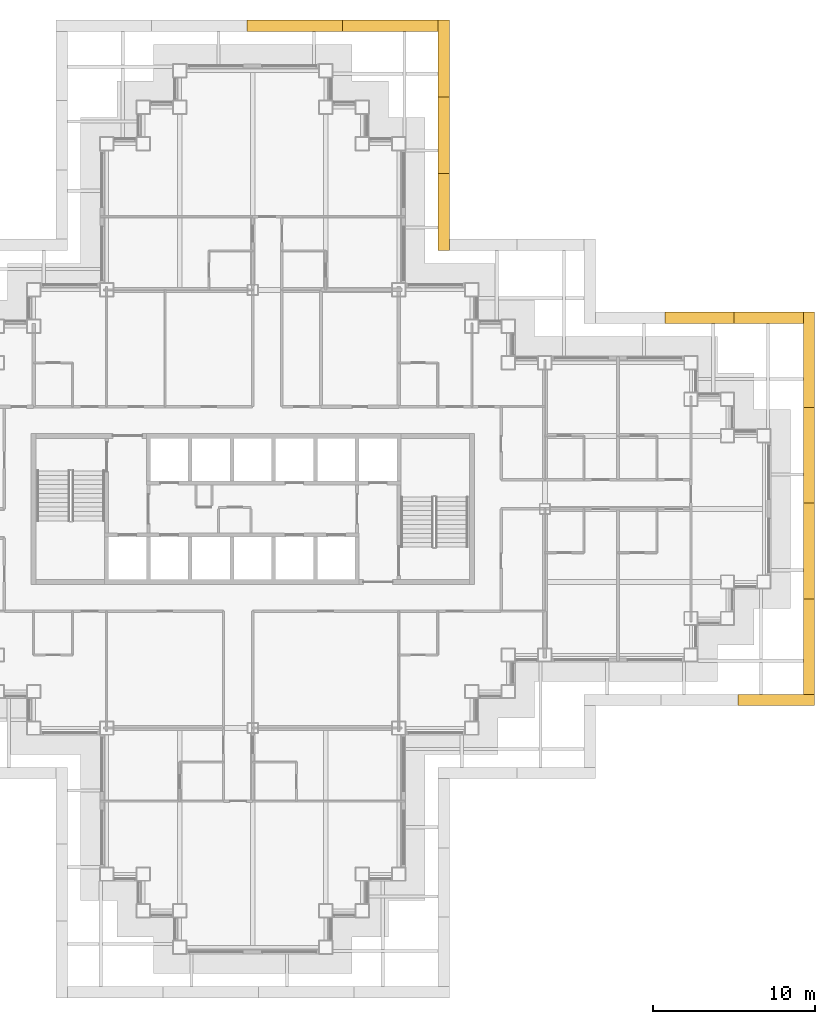
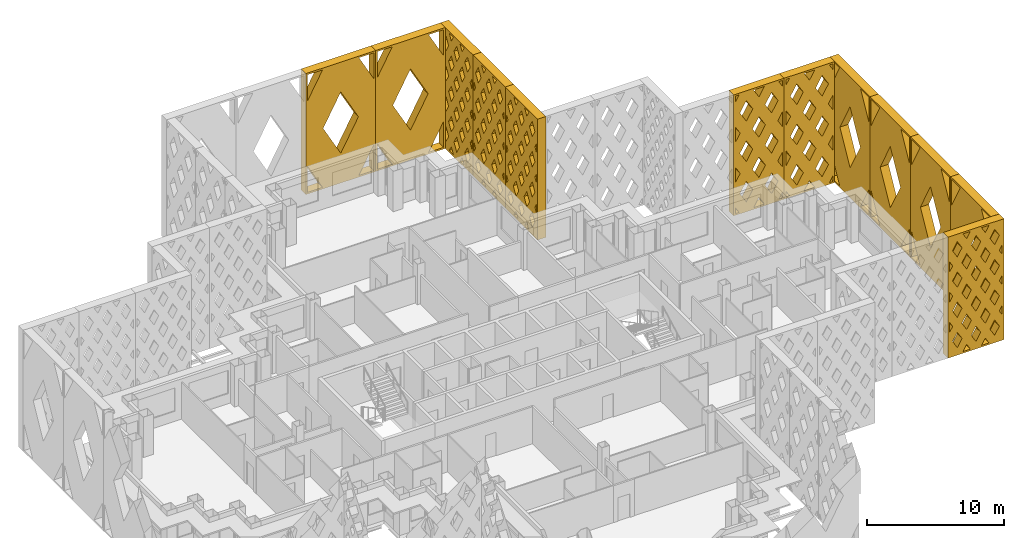
# One storey, part 21 of 21: 12 shading devices.
"""IFC4 building model written with IfcOpenShell, lengths in metres."""

from ifc_helpers import new_model, si_unit, direction, frame, origin, place, context, subcontext, project, spatial, polyline, outline, extrude, material, type_object, element, save


model = new_model("IFC4")

# Units and contexts
model_context = context("Model", 3, precision=1e-05, world=origin(), true_north=direction((0.0, 1.0)))
body_context = subcontext(model_context, "Body", "Model", "MODEL_VIEW")
ifc_project = project(units=[si_unit("LENGTHUNIT", "METRE"), si_unit("AREAUNIT", "SQUARE_METRE"), si_unit("VOLUMEUNIT", "CUBIC_METRE"), si_unit("PLANEANGLEUNIT", "RADIAN"), si_unit("MASSUNIT", "GRAM", prefix="KILO")], contexts=[model_context])

# Site, building, storey
site_placement = place(None, origin())
site = spatial("IfcSite", under=ifc_project, at=site_placement, CompositionType="ELEMENT")
building_placement = place(site_placement, origin())
building = spatial("IfcBuilding", under=site, at=building_placement, Name="Caravel Reach Hotel and Residences", CompositionType="ELEMENT")
storey_placement = place(building_placement, frame((0.0, 0.0, 129.60009765625)))
storey = spatial("IfcBuildingStorey", under=building, at=storey_placement, Name="L32", CompositionType="ELEMENT", Elevation=129.60009765625)

# Shading devices
ifc_material_1 = material(Name="Black powder-coated aluminium", Category="aluminium")
shading_device_type_1 = type_object("IfcShadingDeviceType", Name="Diamond lattice screen panel 4267 x 10800", PredefinedType="USERDEFINED", material=ifc_material_1)
shading_device_1_placement = place(storey_placement, frame((65.425048828125, 38.425048828125, 0.0), z_axis=(0.0, 1.0, 0.0), x_axis=(-1.0, 0.0, 0.0)))
element("IfcShadingDevice", 1, at=shading_device_1_placement, inside=storey, type_object=shading_device_type_1, Name="Lattice screen L32-L34 8.1", ObjectType="SCREEN", PredefinedType="USERDEFINED", context=body_context, shape_type="SweptSolid", body=[
    extrude(outline(polyline([(0.0, 0.0), (4.2666015625, 0.0), (4.2666015625, 10.800048828125), (0.0, 10.800048828125), (0.0, 0.0)]), holes=[polyline([(0.457275390625, 0.14990234375), (0.14990234375, 0.66845703125), (0.14990234375, 0.14990234375), (0.457275390625, 0.14990234375)]), polyline([(0.546142578125, 3.60009765625), (0.14990234375, 4.2685546875), (0.14990234375, 2.931396484375), (0.546142578125, 3.60009765625)]), polyline([(0.546142578125, 7.199951171875), (0.14990234375, 7.868408203125), (0.14990234375, 6.531494140625), (0.546142578125, 7.199951171875)]), polyline([(0.14990234375, 10.131591796875), (0.457275390625, 10.64990234375), (0.14990234375, 10.64990234375), (0.14990234375, 10.131591796875)]), polyline([(1.066650390625, 2.7216796875), (0.5205078125, 1.800048828125), (1.066650390625, 0.87841796875), (1.61279296875, 1.800048828125), (1.066650390625, 2.7216796875)]), polyline([(1.066650390625, 6.321533203125), (0.5205078125, 5.39990234375), (1.066650390625, 4.478271484375), (1.61279296875, 5.39990234375), (1.066650390625, 6.321533203125)]), polyline([(1.066650390625, 9.921630859375), (0.5205078125, 9.0), (1.066650390625, 8.078369140625), (1.61279296875, 9.0), (1.066650390625, 9.921630859375)]), polyline([(2.13330078125, 0.921630859375), (1.676025390625, 0.14990234375), (2.590576171875, 0.14990234375), (2.13330078125, 0.921630859375)]), polyline([(2.13330078125, 4.521728515625), (1.587158203125, 3.60009765625), (2.13330078125, 2.678466796875), (2.679443359375, 3.60009765625), (2.13330078125, 4.521728515625)]), polyline([(2.13330078125, 8.12158203125), (1.587158203125, 7.199951171875), (2.13330078125, 6.2783203125), (2.679443359375, 7.199951171875), (2.13330078125, 8.12158203125)]), polyline([(2.13330078125, 9.87841796875), (2.590576171875, 10.64990234375), (1.676025390625, 10.64990234375), (2.13330078125, 9.87841796875)]), polyline([(3.199951171875, 2.7216796875), (2.65380859375, 1.800048828125), (3.199951171875, 0.87841796875), (3.74609375, 1.800048828125), (3.199951171875, 2.7216796875)]), polyline([(3.199951171875, 6.321533203125), (2.65380859375, 5.39990234375), (3.199951171875, 4.478271484375), (3.74609375, 5.39990234375), (3.199951171875, 6.321533203125)]), polyline([(3.199951171875, 9.921630859375), (2.65380859375, 9.0), (3.199951171875, 8.078369140625), (3.74609375, 9.0), (3.199951171875, 9.921630859375)]), polyline([(4.11669921875, 0.66845703125), (3.809326171875, 0.14990234375), (4.11669921875, 0.14990234375), (4.11669921875, 0.66845703125)]), polyline([(3.720458984375, 3.60009765625), (4.11669921875, 2.931396484375), (4.11669921875, 4.2685546875), (3.720458984375, 3.60009765625)]), polyline([(3.720458984375, 7.199951171875), (4.11669921875, 6.531494140625), (4.11669921875, 7.868408203125), (3.720458984375, 7.199951171875)]), polyline([(3.809326171875, 10.64990234375), (4.11669921875, 10.131591796875), (4.11669921875, 10.64990234375), (3.809326171875, 10.64990234375)])]), origin(), (0.0, 0.0, 1.0), 0.699951171875),
])
shading_device_2_placement = place(storey_placement, frame((61.158447265625, 38.425048828125, 0.0), z_axis=(0.0, 1.0, 0.0), x_axis=(-1.0, 0.0, 0.0)))
element("IfcShadingDevice", 2, at=shading_device_2_placement, inside=storey, type_object=shading_device_type_1, Name="Lattice screen L32-L34 8.2", ObjectType="SCREEN", PredefinedType="USERDEFINED", context=body_context, shape_type="SweptSolid", body=[
    extrude(outline(polyline([(0.0, 0.0), (4.2666015625, 0.0), (4.2666015625, 10.800048828125), (0.0, 10.800048828125), (0.0, 0.0)]), holes=[polyline([(0.457275390625, 0.14990234375), (0.14990234375, 0.66845703125), (0.14990234375, 0.14990234375), (0.457275390625, 0.14990234375)]), polyline([(0.546142578125, 3.60009765625), (0.14990234375, 4.2685546875), (0.14990234375, 2.931396484375), (0.546142578125, 3.60009765625)]), polyline([(0.546142578125, 7.199951171875), (0.14990234375, 7.868408203125), (0.14990234375, 6.531494140625), (0.546142578125, 7.199951171875)]), polyline([(0.14990234375, 10.131591796875), (0.457275390625, 10.64990234375), (0.14990234375, 10.64990234375), (0.14990234375, 10.131591796875)]), polyline([(1.066650390625, 2.7216796875), (0.5205078125, 1.800048828125), (1.066650390625, 0.87841796875), (1.61279296875, 1.800048828125), (1.066650390625, 2.7216796875)]), polyline([(1.066650390625, 6.321533203125), (0.5205078125, 5.39990234375), (1.066650390625, 4.478271484375), (1.61279296875, 5.39990234375), (1.066650390625, 6.321533203125)]), polyline([(1.066650390625, 9.921630859375), (0.5205078125, 9.0), (1.066650390625, 8.078369140625), (1.61279296875, 9.0), (1.066650390625, 9.921630859375)]), polyline([(2.13330078125, 0.921630859375), (1.676025390625, 0.14990234375), (2.590576171875, 0.14990234375), (2.13330078125, 0.921630859375)]), polyline([(2.13330078125, 4.521728515625), (1.587158203125, 3.60009765625), (2.13330078125, 2.678466796875), (2.679443359375, 3.60009765625), (2.13330078125, 4.521728515625)]), polyline([(2.13330078125, 8.12158203125), (1.587158203125, 7.199951171875), (2.13330078125, 6.2783203125), (2.679443359375, 7.199951171875), (2.13330078125, 8.12158203125)]), polyline([(2.13330078125, 9.87841796875), (2.590576171875, 10.64990234375), (1.676025390625, 10.64990234375), (2.13330078125, 9.87841796875)]), polyline([(3.199951171875, 2.7216796875), (2.65380859375, 1.800048828125), (3.199951171875, 0.87841796875), (3.74609375, 1.800048828125), (3.199951171875, 2.7216796875)]), polyline([(3.199951171875, 6.321533203125), (2.65380859375, 5.39990234375), (3.199951171875, 4.478271484375), (3.74609375, 5.39990234375), (3.199951171875, 6.321533203125)]), polyline([(3.199951171875, 9.921630859375), (2.65380859375, 9.0), (3.199951171875, 8.078369140625), (3.74609375, 9.0), (3.199951171875, 9.921630859375)]), polyline([(4.11669921875, 0.66845703125), (3.809326171875, 0.14990234375), (4.11669921875, 0.14990234375), (4.11669921875, 0.66845703125)]), polyline([(3.720458984375, 3.60009765625), (4.11669921875, 2.931396484375), (4.11669921875, 4.2685546875), (3.720458984375, 3.60009765625)]), polyline([(3.720458984375, 7.199951171875), (4.11669921875, 6.531494140625), (4.11669921875, 7.868408203125), (3.720458984375, 7.199951171875)]), polyline([(3.809326171875, 10.64990234375), (4.11669921875, 10.131591796875), (4.11669921875, 10.64990234375), (3.809326171875, 10.64990234375)])]), origin(), (0.0, 0.0, 1.0), 0.699951171875),
])
ifc_material_2 = material(Name="Black powder-coated aluminium", Category="aluminium")
shading_device_type_2 = type_object("IfcShadingDeviceType", Name="Diamond lattice screen panel 4733 x 10800", PredefinedType="USERDEFINED", material=ifc_material_2)
shading_device_3_placement = place(storey_placement, frame((61.3916015625, 15.574951171875, 0.0), z_axis=(0.0, -1.0, 0.0), x_axis=(1.0, 0.0, 0.0)))
element("IfcShadingDevice", 3, at=shading_device_3_placement, inside=storey, type_object=shading_device_type_2, Name="Lattice screen L32-L34 6.3", ObjectType="SCREEN", PredefinedType="USERDEFINED", context=body_context, shape_type="SweptSolid", body=[
    extrude(outline(polyline([(0.0, 0.0), (4.7333984375, 0.0), (4.7333984375, 10.800048828125), (0.0, 10.800048828125), (0.0, 0.0)]), holes=[polyline([(0.4013671875, 2.699951171875), (0.14990234375, 3.130126953125), (0.14990234375, 2.269775390625), (0.4013671875, 2.699951171875)]), polyline([(0.4013671875, 5.39990234375), (0.14990234375, 5.830078125), (0.14990234375, 4.969970703125), (0.4013671875, 5.39990234375)]), polyline([(0.4013671875, 8.10009765625), (0.14990234375, 8.530029296875), (0.14990234375, 7.669921875), (0.4013671875, 8.10009765625)]), polyline([(0.788818359375, 2.036865234375), (0.387451171875, 1.35009765625), (0.788818359375, 0.6630859375), (1.190185546875, 1.35009765625), (0.788818359375, 2.036865234375)]), polyline([(0.788818359375, 4.73681640625), (0.387451171875, 4.050048828125), (0.788818359375, 3.36328125), (1.190185546875, 4.050048828125), (0.788818359375, 4.73681640625)]), polyline([(0.788818359375, 7.436767578125), (0.387451171875, 6.75), (0.788818359375, 6.063232421875), (1.190185546875, 6.75), (0.788818359375, 7.436767578125)]), polyline([(0.788818359375, 10.13671875), (0.387451171875, 9.449951171875), (0.788818359375, 8.76318359375), (1.190185546875, 9.449951171875), (0.788818359375, 10.13671875)]), polyline([(1.577880859375, 0.686767578125), (1.26416015625, 0.14990234375), (1.8916015625, 0.14990234375), (1.577880859375, 0.686767578125)]), polyline([(1.577880859375, 3.38671875), (1.176513671875, 2.699951171875), (1.577880859375, 2.01318359375), (1.979248046875, 2.699951171875), (1.577880859375, 3.38671875)]), polyline([(1.577880859375, 6.0869140625), (1.176513671875, 5.39990234375), (1.577880859375, 4.713134765625), (1.979248046875, 5.39990234375), (1.577880859375, 6.0869140625)]), polyline([(1.577880859375, 8.786865234375), (1.176513671875, 8.10009765625), (1.577880859375, 7.4130859375), (1.979248046875, 8.10009765625), (1.577880859375, 8.786865234375)]), polyline([(1.577880859375, 10.11328125), (1.8916015625, 10.64990234375), (1.26416015625, 10.64990234375), (1.577880859375, 10.11328125)]), polyline([(2.36669921875, 2.036865234375), (1.96533203125, 1.35009765625), (2.36669921875, 0.6630859375), (2.76806640625, 1.35009765625), (2.36669921875, 2.036865234375)]), polyline([(2.36669921875, 4.73681640625), (1.96533203125, 4.050048828125), (2.36669921875, 3.36328125), (2.76806640625, 4.050048828125), (2.36669921875, 4.73681640625)]), polyline([(2.36669921875, 7.436767578125), (1.96533203125, 6.75), (2.36669921875, 6.063232421875), (2.76806640625, 6.75), (2.36669921875, 7.436767578125)]), polyline([(2.36669921875, 10.13671875), (1.96533203125, 9.449951171875), (2.36669921875, 8.76318359375), (2.76806640625, 9.449951171875), (2.36669921875, 10.13671875)]), polyline([(3.155517578125, 0.686767578125), (2.841796875, 0.14990234375), (3.46923828125, 0.14990234375), (3.155517578125, 0.686767578125)]), polyline([(3.155517578125, 3.38671875), (2.754150390625, 2.699951171875), (3.155517578125, 2.01318359375), (3.556884765625, 2.699951171875), (3.155517578125, 3.38671875)]), polyline([(3.155517578125, 6.0869140625), (2.754150390625, 5.39990234375), (3.155517578125, 4.713134765625), (3.556884765625, 5.39990234375), (3.155517578125, 6.0869140625)]), polyline([(3.155517578125, 8.786865234375), (2.754150390625, 8.10009765625), (3.155517578125, 7.4130859375), (3.556884765625, 8.10009765625), (3.155517578125, 8.786865234375)]), polyline([(3.155517578125, 10.11328125), (3.46923828125, 10.64990234375), (2.841796875, 10.64990234375), (3.155517578125, 10.11328125)]), polyline([(3.9443359375, 2.036865234375), (3.54296875, 1.35009765625), (3.9443359375, 0.6630859375), (4.345703125, 1.35009765625), (3.9443359375, 2.036865234375)]), polyline([(3.9443359375, 4.73681640625), (3.54296875, 4.050048828125), (3.9443359375, 3.36328125), (4.345703125, 4.050048828125), (3.9443359375, 4.73681640625)]), polyline([(3.9443359375, 7.436767578125), (3.54296875, 6.75), (3.9443359375, 6.063232421875), (4.345703125, 6.75), (3.9443359375, 7.436767578125)]), polyline([(3.9443359375, 10.13671875), (3.54296875, 9.449951171875), (3.9443359375, 8.76318359375), (4.345703125, 9.449951171875), (3.9443359375, 10.13671875)]), polyline([(4.33203125, 2.699951171875), (4.583251953125, 2.269775390625), (4.583251953125, 3.130126953125), (4.33203125, 2.699951171875)]), polyline([(4.33203125, 5.39990234375), (4.583251953125, 4.969970703125), (4.583251953125, 5.830078125), (4.33203125, 5.39990234375)]), polyline([(4.33203125, 8.10009765625), (4.583251953125, 7.669921875), (4.583251953125, 8.530029296875), (4.33203125, 8.10009765625)])]), origin(), (0.0, 0.0, 1.0), 0.699951171875),
])
shading_device_4_placement = place(storey_placement, frame((42.925048828125, 42.925048828125, 0.0), z_axis=(1.0, 0.0, 0.0), x_axis=(0.0, 1.0, 0.0)))
element("IfcShadingDevice", 4, at=shading_device_4_placement, inside=storey, type_object=shading_device_type_2, Name="Lattice screen L32-L34 11.1", ObjectType="SCREEN", PredefinedType="USERDEFINED", context=body_context, shape_type="SweptSolid", body=[
    extrude(outline(polyline([(0.0, 0.0), (4.7333984375, 0.0), (4.7333984375, 10.800048828125), (0.0, 10.800048828125), (0.0, 0.0)]), holes=[polyline([(0.4013671875, 2.699951171875), (0.14990234375, 3.130126953125), (0.14990234375, 2.269775390625), (0.4013671875, 2.699951171875)]), polyline([(0.4013671875, 5.39990234375), (0.14990234375, 5.830078125), (0.14990234375, 4.969970703125), (0.4013671875, 5.39990234375)]), polyline([(0.4013671875, 8.10009765625), (0.14990234375, 8.530029296875), (0.14990234375, 7.669921875), (0.4013671875, 8.10009765625)]), polyline([(0.788818359375, 2.036865234375), (0.387451171875, 1.35009765625), (0.788818359375, 0.6630859375), (1.190185546875, 1.35009765625), (0.788818359375, 2.036865234375)]), polyline([(0.788818359375, 4.73681640625), (0.387451171875, 4.050048828125), (0.788818359375, 3.36328125), (1.190185546875, 4.050048828125), (0.788818359375, 4.73681640625)]), polyline([(0.788818359375, 7.436767578125), (0.387451171875, 6.75), (0.788818359375, 6.063232421875), (1.190185546875, 6.75), (0.788818359375, 7.436767578125)]), polyline([(0.788818359375, 10.13671875), (0.387451171875, 9.449951171875), (0.788818359375, 8.76318359375), (1.190185546875, 9.449951171875), (0.788818359375, 10.13671875)]), polyline([(1.577880859375, 0.686767578125), (1.26416015625, 0.14990234375), (1.8916015625, 0.14990234375), (1.577880859375, 0.686767578125)]), polyline([(1.577880859375, 3.38671875), (1.176513671875, 2.699951171875), (1.577880859375, 2.01318359375), (1.979248046875, 2.699951171875), (1.577880859375, 3.38671875)]), polyline([(1.577880859375, 6.0869140625), (1.176513671875, 5.39990234375), (1.577880859375, 4.713134765625), (1.979248046875, 5.39990234375), (1.577880859375, 6.0869140625)]), polyline([(1.577880859375, 8.786865234375), (1.176513671875, 8.10009765625), (1.577880859375, 7.4130859375), (1.979248046875, 8.10009765625), (1.577880859375, 8.786865234375)]), polyline([(1.577880859375, 10.11328125), (1.8916015625, 10.64990234375), (1.26416015625, 10.64990234375), (1.577880859375, 10.11328125)]), polyline([(2.36669921875, 2.036865234375), (1.96533203125, 1.35009765625), (2.36669921875, 0.6630859375), (2.76806640625, 1.35009765625), (2.36669921875, 2.036865234375)]), polyline([(2.36669921875, 4.73681640625), (1.96533203125, 4.050048828125), (2.36669921875, 3.36328125), (2.76806640625, 4.050048828125), (2.36669921875, 4.73681640625)]), polyline([(2.36669921875, 7.436767578125), (1.96533203125, 6.75), (2.36669921875, 6.063232421875), (2.76806640625, 6.75), (2.36669921875, 7.436767578125)]), polyline([(2.36669921875, 10.13671875), (1.96533203125, 9.449951171875), (2.36669921875, 8.76318359375), (2.76806640625, 9.449951171875), (2.36669921875, 10.13671875)]), polyline([(3.155517578125, 0.686767578125), (2.841796875, 0.14990234375), (3.46923828125, 0.14990234375), (3.155517578125, 0.686767578125)]), polyline([(3.155517578125, 3.38671875), (2.754150390625, 2.699951171875), (3.155517578125, 2.01318359375), (3.556884765625, 2.699951171875), (3.155517578125, 3.38671875)]), polyline([(3.155517578125, 6.0869140625), (2.754150390625, 5.39990234375), (3.155517578125, 4.713134765625), (3.556884765625, 5.39990234375), (3.155517578125, 6.0869140625)]), polyline([(3.155517578125, 8.786865234375), (2.754150390625, 8.10009765625), (3.155517578125, 7.4130859375), (3.556884765625, 8.10009765625), (3.155517578125, 8.786865234375)]), polyline([(3.155517578125, 10.11328125), (3.46923828125, 10.64990234375), (2.841796875, 10.64990234375), (3.155517578125, 10.11328125)]), polyline([(3.9443359375, 2.036865234375), (3.54296875, 1.35009765625), (3.9443359375, 0.6630859375), (4.345703125, 1.35009765625), (3.9443359375, 2.036865234375)]), polyline([(3.9443359375, 4.73681640625), (3.54296875, 4.050048828125), (3.9443359375, 3.36328125), (4.345703125, 4.050048828125), (3.9443359375, 4.73681640625)]), polyline([(3.9443359375, 7.436767578125), (3.54296875, 6.75), (3.9443359375, 6.063232421875), (4.345703125, 6.75), (3.9443359375, 7.436767578125)]), polyline([(3.9443359375, 10.13671875), (3.54296875, 9.449951171875), (3.9443359375, 8.76318359375), (4.345703125, 9.449951171875), (3.9443359375, 10.13671875)]), polyline([(4.33203125, 2.699951171875), (4.583251953125, 2.269775390625), (4.583251953125, 3.130126953125), (4.33203125, 2.699951171875)]), polyline([(4.33203125, 5.39990234375), (4.583251953125, 4.969970703125), (4.583251953125, 5.830078125), (4.33203125, 5.39990234375)]), polyline([(4.33203125, 8.10009765625), (4.583251953125, 7.669921875), (4.583251953125, 8.530029296875), (4.33203125, 8.10009765625)])]), origin(), (0.0, 0.0, 1.0), 0.699951171875),
])
shading_device_5_placement = place(storey_placement, frame((42.925048828125, 47.658447265625, 0.0), z_axis=(1.0, 0.0, 0.0), x_axis=(0.0, 1.0, 0.0)))
element("IfcShadingDevice", 5, at=shading_device_5_placement, inside=storey, type_object=shading_device_type_2, Name="Lattice screen L32-L34 11.2", ObjectType="SCREEN", PredefinedType="USERDEFINED", context=body_context, shape_type="SweptSolid", body=[
    extrude(outline(polyline([(0.0, 0.0), (4.7333984375, 0.0), (4.7333984375, 10.800048828125), (0.0, 10.800048828125), (0.0, 0.0)]), holes=[polyline([(0.4013671875, 2.699951171875), (0.14990234375, 3.130126953125), (0.14990234375, 2.269775390625), (0.4013671875, 2.699951171875)]), polyline([(0.4013671875, 5.39990234375), (0.14990234375, 5.830078125), (0.14990234375, 4.969970703125), (0.4013671875, 5.39990234375)]), polyline([(0.4013671875, 8.10009765625), (0.14990234375, 8.530029296875), (0.14990234375, 7.669921875), (0.4013671875, 8.10009765625)]), polyline([(0.788818359375, 2.036865234375), (0.387451171875, 1.35009765625), (0.788818359375, 0.6630859375), (1.190185546875, 1.35009765625), (0.788818359375, 2.036865234375)]), polyline([(0.788818359375, 4.73681640625), (0.387451171875, 4.050048828125), (0.788818359375, 3.36328125), (1.190185546875, 4.050048828125), (0.788818359375, 4.73681640625)]), polyline([(0.788818359375, 7.436767578125), (0.387451171875, 6.75), (0.788818359375, 6.063232421875), (1.190185546875, 6.75), (0.788818359375, 7.436767578125)]), polyline([(0.788818359375, 10.13671875), (0.387451171875, 9.449951171875), (0.788818359375, 8.76318359375), (1.190185546875, 9.449951171875), (0.788818359375, 10.13671875)]), polyline([(1.577880859375, 0.686767578125), (1.26416015625, 0.14990234375), (1.8916015625, 0.14990234375), (1.577880859375, 0.686767578125)]), polyline([(1.577880859375, 3.38671875), (1.176513671875, 2.699951171875), (1.577880859375, 2.01318359375), (1.979248046875, 2.699951171875), (1.577880859375, 3.38671875)]), polyline([(1.577880859375, 6.0869140625), (1.176513671875, 5.39990234375), (1.577880859375, 4.713134765625), (1.979248046875, 5.39990234375), (1.577880859375, 6.0869140625)]), polyline([(1.577880859375, 8.786865234375), (1.176513671875, 8.10009765625), (1.577880859375, 7.4130859375), (1.979248046875, 8.10009765625), (1.577880859375, 8.786865234375)]), polyline([(1.577880859375, 10.11328125), (1.8916015625, 10.64990234375), (1.26416015625, 10.64990234375), (1.577880859375, 10.11328125)]), polyline([(2.36669921875, 2.036865234375), (1.96533203125, 1.35009765625), (2.36669921875, 0.6630859375), (2.76806640625, 1.35009765625), (2.36669921875, 2.036865234375)]), polyline([(2.36669921875, 4.73681640625), (1.96533203125, 4.050048828125), (2.36669921875, 3.36328125), (2.76806640625, 4.050048828125), (2.36669921875, 4.73681640625)]), polyline([(2.36669921875, 7.436767578125), (1.96533203125, 6.75), (2.36669921875, 6.063232421875), (2.76806640625, 6.75), (2.36669921875, 7.436767578125)]), polyline([(2.36669921875, 10.13671875), (1.96533203125, 9.449951171875), (2.36669921875, 8.76318359375), (2.76806640625, 9.449951171875), (2.36669921875, 10.13671875)]), polyline([(3.155517578125, 0.686767578125), (2.841796875, 0.14990234375), (3.46923828125, 0.14990234375), (3.155517578125, 0.686767578125)]), polyline([(3.155517578125, 3.38671875), (2.754150390625, 2.699951171875), (3.155517578125, 2.01318359375), (3.556884765625, 2.699951171875), (3.155517578125, 3.38671875)]), polyline([(3.155517578125, 6.0869140625), (2.754150390625, 5.39990234375), (3.155517578125, 4.713134765625), (3.556884765625, 5.39990234375), (3.155517578125, 6.0869140625)]), polyline([(3.155517578125, 8.786865234375), (2.754150390625, 8.10009765625), (3.155517578125, 7.4130859375), (3.556884765625, 8.10009765625), (3.155517578125, 8.786865234375)]), polyline([(3.155517578125, 10.11328125), (3.46923828125, 10.64990234375), (2.841796875, 10.64990234375), (3.155517578125, 10.11328125)]), polyline([(3.9443359375, 2.036865234375), (3.54296875, 1.35009765625), (3.9443359375, 0.6630859375), (4.345703125, 1.35009765625), (3.9443359375, 2.036865234375)]), polyline([(3.9443359375, 4.73681640625), (3.54296875, 4.050048828125), (3.9443359375, 3.36328125), (4.345703125, 4.050048828125), (3.9443359375, 4.73681640625)]), polyline([(3.9443359375, 7.436767578125), (3.54296875, 6.75), (3.9443359375, 6.063232421875), (4.345703125, 6.75), (3.9443359375, 7.436767578125)]), polyline([(3.9443359375, 10.13671875), (3.54296875, 9.449951171875), (3.9443359375, 8.76318359375), (4.345703125, 9.449951171875), (3.9443359375, 10.13671875)]), polyline([(4.33203125, 2.699951171875), (4.583251953125, 2.269775390625), (4.583251953125, 3.130126953125), (4.33203125, 2.699951171875)]), polyline([(4.33203125, 5.39990234375), (4.583251953125, 4.969970703125), (4.583251953125, 5.830078125), (4.33203125, 5.39990234375)]), polyline([(4.33203125, 8.10009765625), (4.583251953125, 7.669921875), (4.583251953125, 8.530029296875), (4.33203125, 8.10009765625)])]), origin(), (0.0, 0.0, 1.0), 0.699951171875),
])
shading_device_6_placement = place(storey_placement, frame((42.925048828125, 52.3916015625, 0.0), z_axis=(1.0, 0.0, 0.0), x_axis=(0.0, 1.0, 0.0)))
element("IfcShadingDevice", 6, at=shading_device_6_placement, inside=storey, type_object=shading_device_type_2, Name="Lattice screen L32-L34 11.3", ObjectType="SCREEN", PredefinedType="USERDEFINED", context=body_context, shape_type="SweptSolid", body=[
    extrude(outline(polyline([(0.0, 0.0), (4.7333984375, 0.0), (4.7333984375, 10.800048828125), (0.0, 10.800048828125), (0.0, 0.0)]), holes=[polyline([(0.4013671875, 2.699951171875), (0.14990234375, 3.130126953125), (0.14990234375, 2.269775390625), (0.4013671875, 2.699951171875)]), polyline([(0.4013671875, 5.39990234375), (0.14990234375, 5.830078125), (0.14990234375, 4.969970703125), (0.4013671875, 5.39990234375)]), polyline([(0.4013671875, 8.10009765625), (0.14990234375, 8.530029296875), (0.14990234375, 7.669921875), (0.4013671875, 8.10009765625)]), polyline([(0.788818359375, 2.036865234375), (0.387451171875, 1.35009765625), (0.788818359375, 0.6630859375), (1.190185546875, 1.35009765625), (0.788818359375, 2.036865234375)]), polyline([(0.788818359375, 4.73681640625), (0.387451171875, 4.050048828125), (0.788818359375, 3.36328125), (1.190185546875, 4.050048828125), (0.788818359375, 4.73681640625)]), polyline([(0.788818359375, 7.436767578125), (0.387451171875, 6.75), (0.788818359375, 6.063232421875), (1.190185546875, 6.75), (0.788818359375, 7.436767578125)]), polyline([(0.788818359375, 10.13671875), (0.387451171875, 9.449951171875), (0.788818359375, 8.76318359375), (1.190185546875, 9.449951171875), (0.788818359375, 10.13671875)]), polyline([(1.577880859375, 0.686767578125), (1.26416015625, 0.14990234375), (1.8916015625, 0.14990234375), (1.577880859375, 0.686767578125)]), polyline([(1.577880859375, 3.38671875), (1.176513671875, 2.699951171875), (1.577880859375, 2.01318359375), (1.979248046875, 2.699951171875), (1.577880859375, 3.38671875)]), polyline([(1.577880859375, 6.0869140625), (1.176513671875, 5.39990234375), (1.577880859375, 4.713134765625), (1.979248046875, 5.39990234375), (1.577880859375, 6.0869140625)]), polyline([(1.577880859375, 8.786865234375), (1.176513671875, 8.10009765625), (1.577880859375, 7.4130859375), (1.979248046875, 8.10009765625), (1.577880859375, 8.786865234375)]), polyline([(1.577880859375, 10.11328125), (1.8916015625, 10.64990234375), (1.26416015625, 10.64990234375), (1.577880859375, 10.11328125)]), polyline([(2.36669921875, 2.036865234375), (1.96533203125, 1.35009765625), (2.36669921875, 0.6630859375), (2.76806640625, 1.35009765625), (2.36669921875, 2.036865234375)]), polyline([(2.36669921875, 4.73681640625), (1.96533203125, 4.050048828125), (2.36669921875, 3.36328125), (2.76806640625, 4.050048828125), (2.36669921875, 4.73681640625)]), polyline([(2.36669921875, 7.436767578125), (1.96533203125, 6.75), (2.36669921875, 6.063232421875), (2.76806640625, 6.75), (2.36669921875, 7.436767578125)]), polyline([(2.36669921875, 10.13671875), (1.96533203125, 9.449951171875), (2.36669921875, 8.76318359375), (2.76806640625, 9.449951171875), (2.36669921875, 10.13671875)]), polyline([(3.155517578125, 0.686767578125), (2.841796875, 0.14990234375), (3.46923828125, 0.14990234375), (3.155517578125, 0.686767578125)]), polyline([(3.155517578125, 3.38671875), (2.754150390625, 2.699951171875), (3.155517578125, 2.01318359375), (3.556884765625, 2.699951171875), (3.155517578125, 3.38671875)]), polyline([(3.155517578125, 6.0869140625), (2.754150390625, 5.39990234375), (3.155517578125, 4.713134765625), (3.556884765625, 5.39990234375), (3.155517578125, 6.0869140625)]), polyline([(3.155517578125, 8.786865234375), (2.754150390625, 8.10009765625), (3.155517578125, 7.4130859375), (3.556884765625, 8.10009765625), (3.155517578125, 8.786865234375)]), polyline([(3.155517578125, 10.11328125), (3.46923828125, 10.64990234375), (2.841796875, 10.64990234375), (3.155517578125, 10.11328125)]), polyline([(3.9443359375, 2.036865234375), (3.54296875, 1.35009765625), (3.9443359375, 0.6630859375), (4.345703125, 1.35009765625), (3.9443359375, 2.036865234375)]), polyline([(3.9443359375, 4.73681640625), (3.54296875, 4.050048828125), (3.9443359375, 3.36328125), (4.345703125, 4.050048828125), (3.9443359375, 4.73681640625)]), polyline([(3.9443359375, 7.436767578125), (3.54296875, 6.75), (3.9443359375, 6.063232421875), (4.345703125, 6.75), (3.9443359375, 7.436767578125)]), polyline([(3.9443359375, 10.13671875), (3.54296875, 9.449951171875), (3.9443359375, 8.76318359375), (4.345703125, 9.449951171875), (3.9443359375, 10.13671875)]), polyline([(4.33203125, 2.699951171875), (4.583251953125, 2.269775390625), (4.583251953125, 3.130126953125), (4.33203125, 2.699951171875)]), polyline([(4.33203125, 5.39990234375), (4.583251953125, 4.969970703125), (4.583251953125, 5.830078125), (4.33203125, 5.39990234375)]), polyline([(4.33203125, 8.10009765625), (4.583251953125, 7.669921875), (4.583251953125, 8.530029296875), (4.33203125, 8.10009765625)])]), origin(), (0.0, 0.0, 1.0), 0.699951171875),
])
ifc_material_3 = material(Name="Black powder-coated aluminium", Category="aluminium")
shading_device_type_3 = type_object("IfcShadingDeviceType", Name="Diamond lattice screen panel 5887 x 10800", PredefinedType="USERDEFINED", material=ifc_material_3)
for number, where, z_axis, x_axis, name in (
    (7, (65.425048828125, 15.574951171875, 0.0), (1.0, 0.0, 0.0), (0.0, 1.0, 0.0), "Lattice screen L32-L34 7.1"),
    (8, (65.425048828125, 21.46240234375, 0.0), (1.0, 0.0, 0.0), (0.0, 1.0, 0.0), "Lattice screen L32-L34 7.2"),
    (9, (65.425048828125, 27.35009765625, 0.0), (1.0, 0.0, 0.0), (0.0, 1.0, 0.0), "Lattice screen L32-L34 7.3"),
    (10, (65.425048828125, 33.237548828125, 0.0), (1.0, 0.0, 0.0), (0.0, 1.0, 0.0), "Lattice screen L32-L34 7.4"),
    (11, (42.925048828125, 56.425048828125, 0.0), (0.0, 1.0, 0.0), (-1.0, 0.0, 0.0), "Lattice screen L32-L34 12.1"),
    (12, (37.03759765625, 56.425048828125, 0.0), (0.0, 1.0, 0.0), (-1.0, 0.0, 0.0), "Lattice screen L32-L34 12.2"),
):
    element("IfcShadingDevice", number, at=place(storey_placement, frame(where, z_axis=z_axis, x_axis=x_axis)), inside=storey, type_object=shading_device_type_3, Name=name, ObjectType="SCREEN", PredefinedType="USERDEFINED", context=body_context, shape_type="SweptSolid", body=[
        extrude(outline(polyline([(0.0, 0.0), (5.887451171875, 0.0), (5.887451171875, 10.800048828125), (0.0, 10.800048828125), (0.0, 0.0)]), holes=[polyline([(1.409912109375, 0.14990234375), (0.14990234375, 2.46142578125), (0.14990234375, 0.14990234375), (1.409912109375, 0.14990234375)]), polyline([(0.14990234375, 8.338623046875), (1.409912109375, 10.64990234375), (0.14990234375, 10.64990234375), (0.14990234375, 8.338623046875)]), polyline([(2.94384765625, 8.136474609375), (1.451904296875, 5.39990234375), (2.94384765625, 2.66357421875), (4.435546875, 5.39990234375), (2.94384765625, 8.136474609375)]), polyline([(5.737548828125, 2.46142578125), (4.4775390625, 0.14990234375), (5.737548828125, 0.14990234375), (5.737548828125, 2.46142578125)]), polyline([(4.4775390625, 10.64990234375), (5.737548828125, 8.338623046875), (5.737548828125, 10.64990234375), (4.4775390625, 10.64990234375)])]), origin(), (0.0, 0.0, 1.0), 0.699951171875),
    ])

save(model, "model.ifc")
